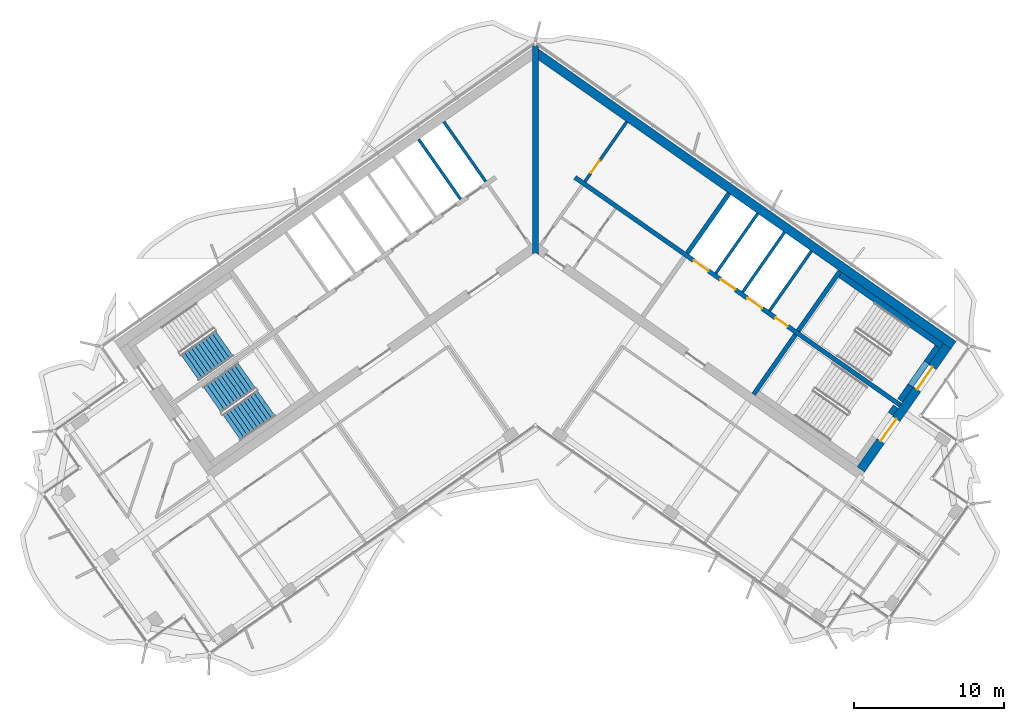
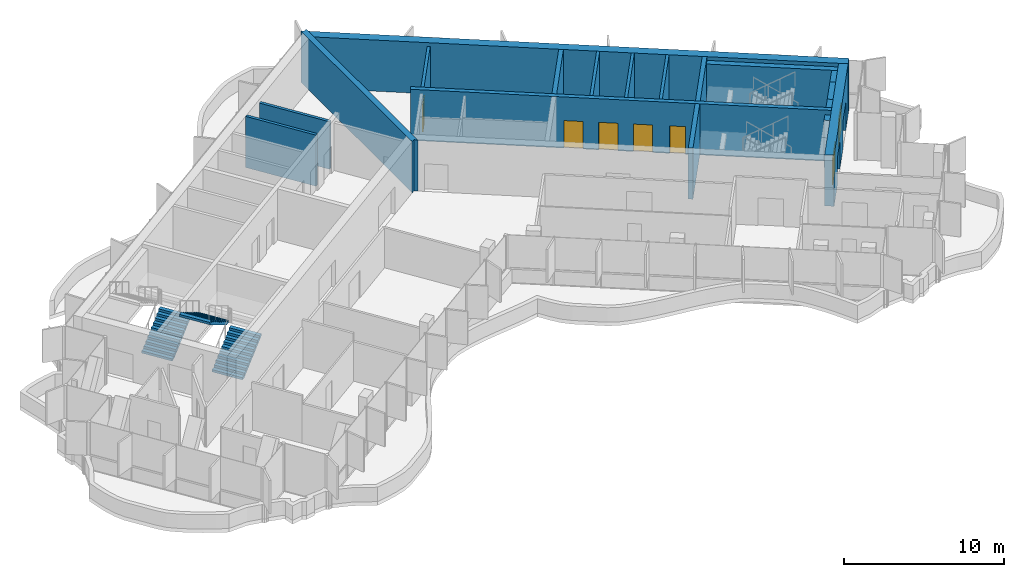
# One storey, part 11 of 17: 18 walls, 7 doors, 3 stair flights, 7 openings, 2 elements without a shape of their own.
"""IFC4 building model written with IfcOpenShell, lengths in metres."""

from ifc_helpers import new_model, si_unit, direction, frame, frame_2d, origin, place, context, subcontext, project, spatial, polyline, rectangle, outline, extrude, material, layer, layer_set, type_object, element, fill, aggregate, save


model = new_model("IFC4")

# Units and contexts
model_context = context("Model", 3, precision=1e-05, world=origin(), true_north=direction((0.0, 1.0)))
body_context = subcontext(model_context, "Body", "Model", "MODEL_VIEW")
ifc_project = project(units=[si_unit("LENGTHUNIT", "METRE"), si_unit("AREAUNIT", "SQUARE_METRE"), si_unit("VOLUMEUNIT", "CUBIC_METRE"), si_unit("PLANEANGLEUNIT", "RADIAN"), si_unit("MASSUNIT", "GRAM", prefix="KILO")], contexts=[model_context])

# Site, building, storey
site_placement = place(None, origin())
site = spatial("IfcSite", under=ifc_project, at=site_placement, CompositionType="ELEMENT")
building_placement = place(site_placement, origin())
building = spatial("IfcBuilding", under=site, at=building_placement, Name="Tel Ilan Convention Tower", CompositionType="ELEMENT")
storey_placement = place(building_placement, frame((0.0, 0.0, 291.699951171875)))
storey = spatial("IfcBuildingStorey", under=building, at=storey_placement, Name="L69", CompositionType="ELEMENT", Elevation=291.699951171875)

# Wall
ifc_material_1 = material(Name="Concrete C30/37", Category="concrete")
ifc_layer_1 = layer(ifc_material_1, 0.199951171875)
ifc_layer_set_1 = layer_set([ifc_layer_1], Name="Core Service Room Wall 200 mm C30/37")
wall_type_1 = type_object("IfcWallType", Name="Core Service Room Wall 200 mm C30/37", PredefinedType="SOLIDWALL", material=ifc_layer_set_1)
wall_1_placement = place(storey_placement, frame((-3.2978515625, 3.489501953125, 0.0), z_axis=(0.0, 0.0, 1.0), x_axis=(-0.573560315113, 0.819163332265, 0.0)))
element("IfcWall", 1, at=wall_1_placement, inside=storey, type_object=wall_type_1, Name="L69 core wall apex-W-b", PredefinedType="SOLIDWALL", context=body_context, shape_type="SweptSolid", body=[
    extrude(rectangle(XDim=4.849853515625, YDim=0.199951171875, at=frame_2d((2.4248046875, 0.0))), origin(), (0.0, 0.0, 1.0), 3.6201171875),
])

# Wall, opening, door
wall_2_placement = place(storey_placement, frame((3.2978515625, 3.489501953125, 0.0), z_axis=(0.0, 0.0, 1.0), x_axis=(0.573560315113, 0.819163332265, 0.0)))
wall_2 = element("IfcWall", 2, at=wall_2_placement, inside=storey, type_object=wall_type_1, Name="L69 core wall apex-E-b", PredefinedType="SOLIDWALL", context=body_context, shape_type="SweptSolid", body=[
    extrude(rectangle(XDim=4.849853515625, YDim=0.199951171875, at=frame_2d((2.4248046875, 0.0))), origin(), (0.0, 0.0, 1.0), 3.6201171875),
])
opening_1_placement = place(wall_2_placement, frame((0.699951171875, 0.0, 0.0)))
opening_1 = element("IfcOpeningElement", 3, at=opening_1_placement, cuts=wall_2, Name="Opening CD5203", PredefinedType="OPENING", context=body_context, shape_type="SweptSolid", body=[
    extrude(rectangle(XDim=1.0, YDim=2.10009765625, at=frame_2d((0.5, 1.050048828125))), frame((0.0, 0.10986328125, 0.0), z_axis=(0.0, -1.0, 0.0), x_axis=(1.0, 0.0, 0.0)), (0.0, 0.0, 1.0), 0.219970703125),
])
ifc_material_2 = material(Name="Galvanised Steel Door Leaf", Category="steel")
door_type_1 = type_object("IfcDoorType", Name="Service Room Door 1000 x 2100 FD60", OperationType="NOTDEFINED", PredefinedType="DOOR", material=ifc_material_2)
door_1_placement = place(opening_1_placement, origin())
door_1 = element("IfcDoor", 4, at=door_1_placement, inside=storey, type_object=door_type_1, Name="Plant Room door", OperationType="SINGLE_SWING_RIGHT", OverallHeight=2.10009765625, OverallWidth=1.0, PredefinedType="DOOR", context=body_context, shape_type="SweptSolid", body=[
    extrude(rectangle(XDim=1.0, YDim=2.10009765625, at=frame_2d((0.5, 1.050048828125))), frame((0.0, 0.02490234375, 0.0), z_axis=(0.0, -1.0, 0.0), x_axis=(1.0, 0.0, 0.0)), (0.0, 0.0, 1.0), 0.050048828125),
])
fill(opening_1, door_1)

# Walls
ifc_material_3 = material(Name="Concrete C40/50", Category="concrete")
ifc_layer_2 = layer(ifc_material_3, 0.300048828125)
ifc_layer_set_2 = layer_set([ifc_layer_2], Name="Core Shear Wall 300 mm C40/50")
wall_type_2 = type_object("IfcWallType", Name="Core Shear Wall 300 mm C40/50", PredefinedType="SHEAR", material=ifc_layer_set_2)
wall_3_placement = place(storey_placement, frame((10.096923828125, -1.271240234375, 0.0), z_axis=(0.0, 0.0, 1.0), x_axis=(0.573560315113, 0.819163332265, 0.0)))
element("IfcWall", 5, at=wall_3_placement, inside=storey, type_object=wall_type_2, Name="L69 core wall E-cross1-2", PredefinedType="SHEAR", context=body_context, shape_type="SweptSolid", body=[
    extrude(outline(polyline([(4.849853515625, -0.150146484375), (4.849853515625, 0.14990234375), (0.0, 0.150146484375), (0.0, -0.14990234375), (4.849853515625, -0.150146484375)])), origin(), (0.0, 0.0, 1.0), 3.900146484375),
])
wall_4_placement = place(storey_placement, frame((14.515380859375, -10.652099609375, 0.0), z_axis=(0.0, 0.0, 1.0), x_axis=(0.573560315113, 0.819163332265, 0.0)))
element("IfcWall", 6, at=wall_4_placement, inside=storey, type_object=wall_type_2, Name="L69 core wall E-cross2-1", PredefinedType="SHEAR", context=body_context, shape_type="SweptSolid", body=[
    extrude(outline(polyline([(0.0, 0.150146484375), (0.0, -0.14990234375), (4.85009765625, -0.14990234375), (4.85009765625, 0.14990234375), (0.0, 0.150146484375)])), origin(), (0.0, 0.0, 1.0), 3.900146484375),
])
wall_5_placement = place(storey_placement, frame((17.46923828125, -6.433349609375, 0.0), z_axis=(0.0, 0.0, 1.0), x_axis=(0.573594092424, 0.81913968109, 0.0)))
element("IfcWall", 7, at=wall_5_placement, inside=storey, type_object=wall_type_2, Name="L69 core wall E-cross2-2", PredefinedType="SHEAR", context=body_context, shape_type="SweptSolid", body=[
    extrude(outline(polyline([(4.849853515625, -0.14990234375), (4.849853515625, 0.150146484375), (0.0, 0.14990234375), (0.0, -0.14990234375), (4.849853515625, -0.14990234375)])), origin(), (0.0, 0.0, 1.0), 3.900146484375),
])

# Wall, openings, doors
wall_6_placement = place(storey_placement, frame((2.638427734375, 3.76806640625, 0.0), z_axis=(0.0, 0.0, 1.0), x_axis=(0.819155014212, -0.573572194837, 0.0)))
wall_6 = element("IfcWall", 8, at=wall_6_placement, inside=storey, type_object=wall_type_2, Name="L69 core wall E-spine", PredefinedType="SHEAR", context=body_context, shape_type="SweptSolid", body=[
    extrude(outline(polyline([(0.0, 0.150146484375), (0.0, -0.14990234375), (26.39990234375, -0.150146484375), (26.39990234375, 0.14990234375), (0.0, 0.150146484375)])), origin(), (0.0, 0.0, 1.0), 3.900146484375),
])
opening_2_placement = place(wall_6_placement, frame((9.637451171875, 0.0, 0.0)))
opening_2 = element("IfcOpeningElement", 9, at=opening_2_placement, cuts=wall_6, Name="Opening LD5201", PredefinedType="OPENING", context=body_context, shape_type="SweptSolid", body=[
    extrude(rectangle(XDim=1.199951171875, YDim=2.10009765625, at=frame_2d((0.60009765625, 1.050048828125))), frame((0.0, 0.159912109375, 0.0), z_axis=(0.0, -1.0, 0.0), x_axis=(1.0, 0.0, 0.0)), (0.0, 0.0, 1.0), 0.320068359375),
])
opening_3_placement = place(wall_6_placement, frame((11.8125, 0.0, 0.0)))
opening_3 = element("IfcOpeningElement", 10, at=opening_3_placement, cuts=wall_6, Name="Opening LD5202", PredefinedType="OPENING", context=body_context, shape_type="SweptSolid", body=[
    extrude(rectangle(XDim=1.199951171875, YDim=2.10009765625, at=frame_2d((0.60009765625, 1.050048828125))), frame((0.0, 0.159912109375, 0.0), z_axis=(0.0, -1.0, 0.0), x_axis=(1.0, 0.0, 0.0)), (0.0, 0.0, 1.0), 0.320068359375),
])
opening_4_placement = place(wall_6_placement, frame((13.987548828125, 0.0, 0.0)))
opening_4 = element("IfcOpeningElement", 11, at=opening_4_placement, cuts=wall_6, Name="Opening LD5203", PredefinedType="OPENING", context=body_context, shape_type="SweptSolid", body=[
    extrude(rectangle(XDim=1.199951171875, YDim=2.10009765625, at=frame_2d((0.60009765625, 1.050048828125))), frame((0.0, 0.159912109375, 0.0), z_axis=(0.0, -1.0, 0.0), x_axis=(1.0, 0.0, 0.0)), (0.0, 0.0, 1.0), 0.320068359375),
])
opening_5_placement = place(wall_6_placement, frame((16.262451171875, 0.0, 0.0)))
opening_5 = element("IfcOpeningElement", 12, at=opening_5_placement, cuts=wall_6, Name="Opening CD5208", PredefinedType="OPENING", context=body_context, shape_type="SweptSolid", body=[
    extrude(rectangle(XDim=1.0, YDim=2.10009765625, at=frame_2d((0.5, 1.050048828125))), frame((0.0, 0.159912109375, 0.0), z_axis=(0.0, -1.0, 0.0), x_axis=(1.0, 0.0, 0.0)), (0.0, 0.0, 1.0), 0.320068359375),
])
ifc_material_4 = material(Name="Stainless Steel Sliding Door Leaf", Category="steel")
door_type_2 = type_object("IfcDoorType", Name="Lift Landing Door 1200 x 2100 FD120", OperationType="NOTDEFINED", PredefinedType="DOOR", material=ifc_material_4)
door_2_placement = place(opening_2_placement, origin())
door_2 = element("IfcDoor", 13, at=door_2_placement, inside=storey, type_object=door_type_2, Name="Lift FL1 landing door", OperationType="SLIDING_TO_LEFT", OverallHeight=2.10009765625, OverallWidth=1.199951171875, PredefinedType="DOOR", context=body_context, shape_type="SweptSolid", body=[
    extrude(rectangle(XDim=1.199951171875, YDim=2.10009765625, at=frame_2d((0.60009765625, 1.050048828125))), frame((0.0, 0.02490234375, 0.0), z_axis=(0.0, -1.0, 0.0), x_axis=(1.0, 0.0, 0.0)), (0.0, 0.0, 1.0), 0.050048828125),
])
fill(opening_2, door_2)
door_3_placement = place(opening_3_placement, origin())
door_3 = element("IfcDoor", 14, at=door_3_placement, inside=storey, type_object=door_type_2, Name="Lift FL2 landing door", OperationType="SLIDING_TO_RIGHT", OverallHeight=2.10009765625, OverallWidth=1.199951171875, PredefinedType="DOOR", context=body_context, shape_type="SweptSolid", body=[
    extrude(rectangle(XDim=1.199951171875, YDim=2.10009765625, at=frame_2d((0.60009765625, 1.050048828125))), frame((0.0, 0.02490234375, 0.0), z_axis=(0.0, -1.0, 0.0), x_axis=(1.0, 0.0, 0.0)), (0.0, 0.0, 1.0), 0.050048828125),
])
fill(opening_3, door_3)
door_4_placement = place(opening_4_placement, origin())
door_4 = element("IfcDoor", 15, at=door_4_placement, inside=storey, type_object=door_type_2, Name="Lift FL3 landing door", OperationType="SLIDING_TO_LEFT", OverallHeight=2.10009765625, OverallWidth=1.199951171875, PredefinedType="DOOR", context=body_context, shape_type="SweptSolid", body=[
    extrude(rectangle(XDim=1.199951171875, YDim=2.10009765625, at=frame_2d((0.60009765625, 1.050048828125))), frame((0.0, 0.02490234375, 0.0), z_axis=(0.0, -1.0, 0.0), x_axis=(1.0, 0.0, 0.0)), (0.0, 0.0, 1.0), 0.050048828125),
])
fill(opening_4, door_4)
door_5_placement = place(opening_5_placement, origin())
door_5 = element("IfcDoor", 16, at=door_5_placement, inside=storey, type_object=door_type_1, Name="Plant Room door", OperationType="SINGLE_SWING_RIGHT", OverallHeight=2.10009765625, OverallWidth=1.0, PredefinedType="DOOR", context=body_context, shape_type="SweptSolid", body=[
    extrude(rectangle(XDim=1.0, YDim=2.10009765625, at=frame_2d((0.5, 1.050048828125))), frame((0.0, 0.02490234375, 0.0), z_axis=(0.0, -1.0, 0.0), x_axis=(1.0, 0.0, 0.0)), (0.0, 0.0, 1.0), 0.050048828125),
])
fill(opening_5, door_5)

# Walls
ifc_material_5 = material(Name="Concrete C40/50", Category="concrete")
ifc_layer_3 = layer(ifc_material_5, 0.39990234375)
ifc_layer_set_3 = layer_set([ifc_layer_3], Name="Core Shear Wall 400 mm C40/50")
wall_type_3 = type_object("IfcWallType", Name="Core Shear Wall 400 mm C40/50", PredefinedType="SHEAR", material=ifc_layer_set_3)
wall_7_placement = place(storey_placement, frame((0.0, -1.36083984375, 0.0), z_axis=(0.0, 0.0, 1.0), x_axis=(0.0, 1.0, 0.0)))
element("IfcWall", 17, at=wall_7_placement, inside=storey, type_object=wall_type_3, Name="L69 core wall K-central", PredefinedType="SHEAR", context=body_context, shape_type="SweptSolid", body=[
    extrude(outline(polyline([(0.14013671875, 0.199951171875), (0.0, 0.199951171875), (0.14013671875, 0.0), (0.0, -0.199951171875), (0.14013671875, -0.199951171875), (1.012451171875, -0.199951171875), (12.940185546875, -0.199951171875), (13.812744140625, -0.199951171875), (13.893310546875, -0.199951171875), (13.933349609375, -0.172119140625), (13.812744140625, 0.0), (13.933349609375, 0.172119140625), (13.893310546875, 0.199951171875), (13.812744140625, 0.199951171875), (12.940185546875, 0.199951171875), (1.012451171875, 0.199951171875), (0.14013671875, 0.199951171875)])), origin(), (0.0, 0.0, 1.0), 3.900146484375),
])
ifc_material_6 = material(Name="Concrete C40/50", Category="concrete")
ifc_layer_4 = layer(ifc_material_6, 0.60009765625)
ifc_layer_set_4 = layer_set([ifc_layer_4], Name="Core Shear Wall 600 mm C40/50")
wall_type_4 = type_object("IfcWallType", Name="Core Shear Wall 600 mm C40/50", PredefinedType="SHEAR", material=ifc_layer_set_4)
wall_8_placement = place(storey_placement, frame((0.02783203125, 12.066162109375, 0.0), z_axis=(0.0, 0.0, 1.0), x_axis=(0.819151382952, -0.573577380837, 0.0)))
element("IfcWall", 18, at=wall_8_placement, inside=storey, type_object=wall_type_4, Name="L69 core wall E-back", PredefinedType="SHEAR", context=body_context, shape_type="SweptSolid", body=[
    extrude(outline(polyline([(33.898193359375, 0.300048828125), (0.0, 0.300048828125), (0.420166015625, -0.300048828125), (33.89794921875, -0.300048828125), (33.898193359375, 0.300048828125)])), origin(), (0.0, 0.0, 1.0), 3.900146484375),
])

# Wall, openings, doors
wall_9_placement = place(storey_placement, frame((21.641845703125, -15.64208984375, 0.0), z_axis=(0.0, 0.0, 1.0), x_axis=(0.573586866468, 0.819144740944, 0.0)))
wall_9 = element("IfcWall", 19, at=wall_9_placement, inside=storey, type_object=wall_type_4, Name="L69 core wall E-end", PredefinedType="SHEAR", context=body_context, shape_type="SweptSolid", body=[
    extrude(outline(polyline([(10.0, 0.300048828125), (0.0, 0.2998046875), (0.0, -0.300048828125), (10.0, -0.300048828125), (10.0, 0.300048828125)])), origin(), (0.0, 0.0, 1.0), 3.900146484375),
])
opening_6_placement = place(wall_9_placement, frame((6.5, 0.0, 0.0)))
opening_6 = element("IfcOpeningElement", 20, at=opening_6_placement, cuts=wall_9, Name="Opening SD5203", PredefinedType="OPENING", context=body_context, shape_type="SweptSolid", body=[
    extrude(rectangle(XDim=1.800048828125, YDim=2.10009765625, at=frame_2d((0.89990234375, 1.050048828125))), frame((0.0, 0.31005859375, 0.0), z_axis=(0.0, -1.0, 0.0), x_axis=(1.0, 0.0, 0.0)), (0.0, 0.0, 1.0), 0.6201171875),
])
opening_7_placement = place(wall_9_placement, frame((2.300048828125, 0.0, 0.0)))
opening_7 = element("IfcOpeningElement", 21, at=opening_7_placement, cuts=wall_9, Name="Opening SD5204", PredefinedType="OPENING", context=body_context, shape_type="SweptSolid", body=[
    extrude(rectangle(XDim=1.800048828125, YDim=2.10009765625, at=frame_2d((0.89990234375, 1.050048828125))), frame((0.0, 0.31005859375, 0.0), z_axis=(0.0, -1.0, 0.0), x_axis=(1.0, 0.0, 0.0)), (0.0, 0.0, 1.0), 0.6201171875),
])
ifc_material_7 = material(Name="Galvanised Steel Door Leaf", Category="steel")
door_type_3 = type_object("IfcDoorType", Name="Stair Fire Door 1800 x 2100 FD60S", OperationType="NOTDEFINED", PredefinedType="DOOR", material=ifc_material_7)
door_6_placement = place(opening_6_placement, origin())
door_6 = element("IfcDoor", 22, at=door_6_placement, inside=storey, type_object=door_type_3, Name="Stair S3 door", OperationType="DOUBLE_DOOR_SINGLE_SWING", OverallHeight=2.10009765625, OverallWidth=1.800048828125, PredefinedType="DOOR", context=body_context, shape_type="SweptSolid", body=[
    extrude(rectangle(XDim=1.800048828125, YDim=2.10009765625, at=frame_2d((0.89990234375, 1.050048828125))), frame((0.0, 0.02490234375, 0.0), z_axis=(0.0, -1.0, 0.0), x_axis=(1.0, 0.0, 0.0)), (0.0, 0.0, 1.0), 0.050048828125),
])
fill(opening_6, door_6)
door_7_placement = place(opening_7_placement, origin())
door_7 = element("IfcDoor", 23, at=door_7_placement, inside=storey, type_object=door_type_3, Name="Stair S4 door", OperationType="DOUBLE_DOOR_SINGLE_SWING", OverallHeight=2.10009765625, OverallWidth=1.800048828125, PredefinedType="DOOR", context=body_context, shape_type="SweptSolid", body=[
    extrude(rectangle(XDim=1.800048828125, YDim=2.10009765625, at=frame_2d((0.89990234375, 1.050048828125))), frame((0.0, 0.02490234375, 0.0), z_axis=(0.0, -1.0, 0.0), x_axis=(1.0, 0.0, 0.0)), (0.0, 0.0, 1.0), 0.050048828125),
])
fill(opening_7, door_7)

# Walls
ifc_material_8 = material(Name="Concrete C30/37", Category="concrete")
ifc_layer_5 = layer(ifc_material_8, 0.199951171875)
ifc_layer_set_5 = layer_set([ifc_layer_5], Name="Lift Shaft Wall 200 mm C30/37")
wall_type_5 = type_object("IfcWallType", Name="Lift Shaft Wall 200 mm C30/37", PredefinedType="SOLIDWALL", material=ifc_layer_set_5)
wall_10_placement = place(storey_placement, frame((-4.966796875, 2.32080078125, 0.0), z_axis=(0.0, 0.0, 1.0), x_axis=(-0.573594092424, 0.81913968109, 0.0)))
element("IfcWall", 24, at=wall_10_placement, inside=storey, type_object=wall_type_5, Name="L69 core wall bank-W1-p0", PredefinedType="SOLIDWALL", context=body_context, shape_type="SweptSolid", body=[
    extrude(rectangle(XDim=4.85009765625, YDim=0.199951171875, at=frame_2d((2.425048828125, 0.0))), origin(), (0.0, 0.0, 1.0), 3.900146484375),
])
wall_11_placement = place(storey_placement, frame((12.00146484375, -2.604736328125, 0.0), z_axis=(0.0, 0.0, 1.0), x_axis=(0.573560315113, 0.819163332265, 0.0)))
element("IfcWall", 25, at=wall_11_placement, inside=storey, type_object=wall_type_5, Name="L69 core wall bank-E2-p0", PredefinedType="SOLIDWALL", context=body_context, shape_type="SweptSolid", body=[
    extrude(rectangle(XDim=4.849853515625, YDim=0.199951171875, at=frame_2d((2.4248046875, 0.0))), origin(), (0.0, 0.0, 1.0), 3.900146484375),
])
wall_12_placement = place(storey_placement, frame((13.782958984375, -3.852294921875, 0.0), z_axis=(0.0, 0.0, 1.0), x_axis=(0.573594092424, 0.81913968109, 0.0)))
element("IfcWall", 26, at=wall_12_placement, inside=storey, type_object=wall_type_5, Name="L69 core wall bank-E2-p1", PredefinedType="SOLIDWALL", context=body_context, shape_type="SweptSolid", body=[
    extrude(rectangle(XDim=4.85009765625, YDim=0.199951171875, at=frame_2d((2.425048828125, 0.0))), origin(), (0.0, 0.0, 1.0), 3.900146484375),
])
wall_13_placement = place(storey_placement, frame((15.564697265625, -5.099853515625, 0.0), z_axis=(0.0, 0.0, 1.0), x_axis=(0.573560315113, 0.819163332265, 0.0)))
element("IfcWall", 27, at=wall_13_placement, inside=storey, type_object=wall_type_5, Name="L69 core wall bank-E2-p2", PredefinedType="SOLIDWALL", context=body_context, shape_type="SweptSolid", body=[
    extrude(rectangle(XDim=4.849853515625, YDim=0.199951171875, at=frame_2d((2.4248046875, 0.0))), origin(), (0.0, 0.0, 1.0), 3.900146484375),
])
ifc_material_9 = material(Name="Concrete C30/37", Category="concrete")
ifc_layer_6 = layer(ifc_material_9, 0.39990234375)
ifc_layer_set_6 = layer_set([ifc_layer_6], Name="Stair and Shaft Lining Wall 400 mm C30/37")
wall_type_6 = type_object("IfcWallType", Name="Stair and Shaft Lining Wall 400 mm C30/37", PredefinedType="SOLIDWALL", material=ifc_layer_set_6)
wall_14_placement = place(storey_placement, frame((20.25927734375, -2.71044921875, 0.0), z_axis=(0.0, 0.0, 1.0), x_axis=(0.81914849389, -0.573581506813, 0.0)))
element("IfcWall", 28, at=wall_14_placement, inside=storey, type_object=wall_type_6, Name="L69 core wall lining-S3-t1", PredefinedType="SOLIDWALL", context=body_context, shape_type="SweptSolid", body=[
    extrude(rectangle(XDim=8.249755859375, YDim=0.39990234375, at=frame_2d((4.125, 0.0))), origin(), (0.0, 0.0, 1.0), 3.6201171875),
])
wall_15_placement = place(storey_placement, frame((24.24365234375, -11.0546875, 0.0), z_axis=(0.0, 0.0, 1.0), x_axis=(0.573571582932, 0.819155442668, 0.0)))
element("IfcWall", 29, at=wall_15_placement, inside=storey, type_object=wall_type_6, Name="L69 core wall lining-S3-u1-0", PredefinedType="SOLIDWALL", context=body_context, shape_type="SweptSolid", body=[
    extrude(rectangle(XDim=1.199951171875, YDim=0.39990234375, at=frame_2d((0.60009765625, 0.0))), origin(), (0.0, 0.0, 1.0), 3.6201171875),
])
wall_16_placement = place(storey_placement, frame((26.021728515625, -8.515380859375, 0.0), z_axis=(0.0, 0.0, 1.0), x_axis=(0.573619628835, 0.819121798889, 0.0)))
element("IfcWall", 30, at=wall_16_placement, inside=storey, type_object=wall_type_6, Name="L69 core wall lining-S3-u1-1", PredefinedType="SOLIDWALL", context=body_context, shape_type="SweptSolid", body=[
    extrude(rectangle(XDim=1.25, YDim=0.39990234375, at=frame_2d((0.625, 0.0))), origin(), (0.0, 0.0, 1.0), 3.6201171875),
])
wall_17_placement = place(storey_placement, frame((24.931884765625, -10.07177734375, 2.150146484375), z_axis=(0.0, 0.0, 1.0), x_axis=(0.573591692345, 0.819141361715, 0.0)))
element("IfcWall", 31, at=wall_17_placement, inside=storey, type_object=wall_type_6, Name="L69 core wall lining-S3-u1-lintel", PredefinedType="SOLIDWALL", context=body_context, shape_type="SweptSolid", body=[
    extrude(rectangle(XDim=1.900146484375, YDim=0.39990234375, at=frame_2d((0.9501953125, 0.0))), origin(), (0.0, 0.0, 1.0), 1.469970703125),
])
wall_18_placement = place(storey_placement, frame((23.61279296875, -11.955810546875, 0.0), z_axis=(0.0, 0.0, 1.0), x_axis=(0.573435029941, 0.819251039936, 0.0)))
element("IfcWall", 32, at=wall_18_placement, inside=storey, type_object=wall_type_6, Name="L69 core wall lining-S4-u1-1", PredefinedType="SOLIDWALL", context=body_context, shape_type="SweptSolid", body=[
    extrude(rectangle(XDim=0.599853515625, YDim=0.39990234375, at=frame_2d((0.2998046875, 0.0))), origin(), (0.0, 0.0, 1.0), 3.6201171875),
])

# Stair, stair flight
ifc_material_10 = material(Name="Concrete C40/50", Category="concrete")
stair_type = type_object("IfcStairType", Name="Pressurised Exit Stair 22 risers 177 mm", PredefinedType="HALF_TURN_STAIR", material=ifc_material_10)
stair_1_placement = place(storey_placement, origin())
stair_1 = element("IfcStair", 33, at=stair_1_placement, inside=storey, type_object=stair_type, Name="L69 Pressurised Stair S1", PredefinedType="HALF_TURN_STAIR")
ifc_material_11 = material(Name="Precast Concrete C40/50", Category="concrete")
stair_flight_type = type_object("IfcStairFlightType", Name="Concrete Stair Flight 2100 mm 22 risers 177 mm", PredefinedType="STRAIGHT", material=ifc_material_11)
stair_flight_1_placement = place(storey_placement, frame((-22.9619140625, -8.87548828125, 0.0), z_axis=(0.0, 0.0, 1.0), x_axis=(0.819152044289, 0.573576436351, 0.0)))
stair_flight_1 = element("IfcStairFlight", 34, at=stair_flight_1_placement, type_object=stair_flight_type, Name="S1 flight 1", NumberOfRisers=11, NumberOfTreads=10, PredefinedType="STRAIGHT", RiserHeight=0.177272727, TreadLength=0.28, context=body_context, shape_type="SweptSolid", body=[
    extrude(outline(polyline([(0.0, 0.0), (0.0, 0.17724609375), (0.280029296875, 0.17724609375), (0.280029296875, 0.3544921875), (0.56005859375, 0.3544921875), (0.56005859375, 0.53173828125), (0.840087890625, 0.53173828125), (0.840087890625, 0.708984375), (1.1201171875, 0.708984375), (1.1201171875, 0.886474609375), (1.39990234375, 0.886474609375), (1.39990234375, 1.063720703125), (1.679931640625, 1.063720703125), (1.679931640625, 1.240966796875), (1.9599609375, 1.240966796875), (1.9599609375, 1.418212890625), (2.239990234375, 1.418212890625), (2.239990234375, 1.595458984375), (2.52001953125, 1.595458984375), (2.52001953125, 1.772705078125), (2.800048828125, 1.772705078125), (2.800048828125, 1.949951171875), (2.800048828125, 1.59521484375), (0.2802734375, 0.0), (0.0, 0.0)])), frame((0.0, -0.100341796875, 0.0), z_axis=(0.0, -1.0, 0.0), x_axis=(1.0, 0.0, 0.0)), (0.0, 0.0, 1.0), 0.94970703125),
    extrude(outline(polyline([(0.0, 0.0), (0.0, 0.17724609375), (0.280029296875, 0.17724609375), (0.280029296875, 0.3544921875), (0.56005859375, 0.3544921875), (0.56005859375, 0.53173828125), (0.840087890625, 0.53173828125), (0.840087890625, 0.708984375), (1.1201171875, 0.708984375), (1.1201171875, 0.886474609375), (1.39990234375, 0.886474609375), (1.39990234375, 1.063720703125), (1.679931640625, 1.063720703125), (1.679931640625, 1.240966796875), (1.9599609375, 1.240966796875), (1.9599609375, 1.418212890625), (2.239990234375, 1.418212890625), (2.239990234375, 1.595458984375), (2.52001953125, 1.595458984375), (2.52001953125, 1.772705078125), (2.800048828125, 1.772705078125), (2.800048828125, 1.949951171875), (2.800048828125, 1.59521484375), (0.2802734375, 0.0), (0.0, 0.0)])), frame((0.0, -0.000244140625, 0.0), z_axis=(0.0, -1.0, 0.0), x_axis=(1.0, 0.0, 0.0)), (0.0, 0.0, 1.0), 0.099609375),
    extrude(outline(polyline([(0.0, 0.0), (0.0, 0.17724609375), (0.280029296875, 0.17724609375), (0.280029296875, 0.3544921875), (0.56005859375, 0.3544921875), (0.56005859375, 0.53173828125), (0.840087890625, 0.53173828125), (0.840087890625, 0.708984375), (1.1201171875, 0.708984375), (1.1201171875, 0.886474609375), (1.39990234375, 0.886474609375), (1.39990234375, 1.063720703125), (1.679931640625, 1.063720703125), (1.679931640625, 1.240966796875), (1.9599609375, 1.240966796875), (1.9599609375, 1.418212890625), (2.239990234375, 1.418212890625), (2.239990234375, 1.595458984375), (2.52001953125, 1.595458984375), (2.52001953125, 1.772705078125), (2.800048828125, 1.772705078125), (2.800048828125, 1.949951171875), (2.800048828125, 1.59521484375), (0.2802734375, 0.0), (0.0, 0.0)])), frame((0.0, 0.099853515625, 0.0), z_axis=(0.0, -1.0, 0.0), x_axis=(1.0, 0.0, 0.0)), (0.0, 0.0, 1.0), 0.099609375),
    extrude(outline(polyline([(0.0, 0.0), (0.0, 0.17724609375), (0.280029296875, 0.17724609375), (0.280029296875, 0.3544921875), (0.56005859375, 0.3544921875), (0.56005859375, 0.53173828125), (0.840087890625, 0.53173828125), (0.840087890625, 0.708984375), (1.1201171875, 0.708984375), (1.1201171875, 0.886474609375), (1.39990234375, 0.886474609375), (1.39990234375, 1.063720703125), (1.679931640625, 1.063720703125), (1.679931640625, 1.240966796875), (1.9599609375, 1.240966796875), (1.9599609375, 1.418212890625), (2.239990234375, 1.418212890625), (2.239990234375, 1.595458984375), (2.52001953125, 1.595458984375), (2.52001953125, 1.772705078125), (2.800048828125, 1.772705078125), (2.800048828125, 1.949951171875), (2.800048828125, 1.59521484375), (0.2802734375, 0.0), (0.0, 0.0)])), frame((0.0, 1.050048828125, 0.0), z_axis=(0.0, -1.0, 0.0), x_axis=(1.0, 0.0, 0.0)), (0.0, 0.0, 1.0), 0.94970703125),
])
aggregate(stair_1, [stair_flight_1])

# Stair, stair flights
stair_2_placement = place(storey_placement, origin())
stair_2 = element("IfcStair", 35, at=stair_2_placement, inside=storey, type_object=stair_type, Name="L69 Pressurised Stair S2", PredefinedType="HALF_TURN_STAIR")
stair_flight_2_placement = place(storey_placement, frame((-20.179931640625, -12.848388671875, 0.0), z_axis=(0.0, 0.0, 1.0), x_axis=(0.819152044289, 0.573576436351, 0.0)))
stair_flight_2 = element("IfcStairFlight", 36, at=stair_flight_2_placement, type_object=stair_flight_type, Name="S2 flight 1", NumberOfRisers=11, NumberOfTreads=10, PredefinedType="STRAIGHT", RiserHeight=0.177272727, TreadLength=0.28, context=body_context, shape_type="SweptSolid", body=[
    extrude(outline(polyline([(0.0, 0.0), (0.0, 0.17724609375), (0.280029296875, 0.17724609375), (0.280029296875, 0.3544921875), (0.56005859375, 0.3544921875), (0.56005859375, 0.53173828125), (0.840087890625, 0.53173828125), (0.840087890625, 0.708984375), (1.1201171875, 0.708984375), (1.1201171875, 0.886474609375), (1.39990234375, 0.886474609375), (1.39990234375, 1.063720703125), (1.679931640625, 1.063720703125), (1.679931640625, 1.240966796875), (1.9599609375, 1.240966796875), (1.9599609375, 1.418212890625), (2.239990234375, 1.418212890625), (2.239990234375, 1.595458984375), (2.52001953125, 1.595458984375), (2.52001953125, 1.772705078125), (2.800048828125, 1.772705078125), (2.800048828125, 1.949951171875), (2.800048828125, 1.59521484375), (0.2802734375, 0.0), (0.0, 0.0)])), frame((0.0, -0.100341796875, 0.0), z_axis=(0.0, -1.0, 0.0), x_axis=(1.0, 0.0, 0.0)), (0.0, 0.0, 1.0), 0.94970703125),
    extrude(outline(polyline([(0.0, 0.0), (0.0, 0.17724609375), (0.280029296875, 0.17724609375), (0.280029296875, 0.3544921875), (0.56005859375, 0.3544921875), (0.56005859375, 0.53173828125), (0.840087890625, 0.53173828125), (0.840087890625, 0.708984375), (1.1201171875, 0.708984375), (1.1201171875, 0.886474609375), (1.39990234375, 0.886474609375), (1.39990234375, 1.063720703125), (1.679931640625, 1.063720703125), (1.679931640625, 1.240966796875), (1.9599609375, 1.240966796875), (1.9599609375, 1.418212890625), (2.239990234375, 1.418212890625), (2.239990234375, 1.595458984375), (2.52001953125, 1.595458984375), (2.52001953125, 1.772705078125), (2.800048828125, 1.772705078125), (2.800048828125, 1.949951171875), (2.800048828125, 1.59521484375), (0.2802734375, 0.0), (0.0, 0.0)])), frame((0.0, -0.000244140625, 0.0), z_axis=(0.0, -1.0, 0.0), x_axis=(1.0, 0.0, 0.0)), (0.0, 0.0, 1.0), 0.099609375),
    extrude(outline(polyline([(0.0, 0.0), (0.0, 0.17724609375), (0.280029296875, 0.17724609375), (0.280029296875, 0.3544921875), (0.56005859375, 0.3544921875), (0.56005859375, 0.53173828125), (0.840087890625, 0.53173828125), (0.840087890625, 0.708984375), (1.1201171875, 0.708984375), (1.1201171875, 0.886474609375), (1.39990234375, 0.886474609375), (1.39990234375, 1.063720703125), (1.679931640625, 1.063720703125), (1.679931640625, 1.240966796875), (1.9599609375, 1.240966796875), (1.9599609375, 1.418212890625), (2.239990234375, 1.418212890625), (2.239990234375, 1.595458984375), (2.52001953125, 1.595458984375), (2.52001953125, 1.772705078125), (2.800048828125, 1.772705078125), (2.800048828125, 1.949951171875), (2.800048828125, 1.59521484375), (0.2802734375, 0.0), (0.0, 0.0)])), frame((0.0, 0.099853515625, 0.0), z_axis=(0.0, -1.0, 0.0), x_axis=(1.0, 0.0, 0.0)), (0.0, 0.0, 1.0), 0.099609375),
    extrude(outline(polyline([(0.0, 0.0), (0.0, 0.17724609375), (0.280029296875, 0.17724609375), (0.280029296875, 0.3544921875), (0.56005859375, 0.3544921875), (0.56005859375, 0.53173828125), (0.840087890625, 0.53173828125), (0.840087890625, 0.708984375), (1.1201171875, 0.708984375), (1.1201171875, 0.886474609375), (1.39990234375, 0.886474609375), (1.39990234375, 1.063720703125), (1.679931640625, 1.063720703125), (1.679931640625, 1.240966796875), (1.9599609375, 1.240966796875), (1.9599609375, 1.418212890625), (2.239990234375, 1.418212890625), (2.239990234375, 1.595458984375), (2.52001953125, 1.595458984375), (2.52001953125, 1.772705078125), (2.800048828125, 1.772705078125), (2.800048828125, 1.949951171875), (2.800048828125, 1.59521484375), (0.2802734375, 0.0), (0.0, 0.0)])), frame((0.0, 1.050048828125, 0.0), z_axis=(0.0, -1.0, 0.0), x_axis=(1.0, 0.0, 0.0)), (0.0, 0.0, 1.0), 0.94970703125),
])
stair_flight_3_placement = place(storey_placement, frame((-19.177001953125, -9.399169921875, 1.949951171875), z_axis=(0.0, 0.0, 1.0), x_axis=(-0.819152044289, -0.573576436351, 0.0)))
stair_flight_3 = element("IfcStairFlight", 37, at=stair_flight_3_placement, type_object=stair_flight_type, Name="S2 flight 2", NumberOfRisers=11, NumberOfTreads=10, PredefinedType="STRAIGHT", RiserHeight=0.177272727, TreadLength=0.28, context=body_context, shape_type="SweptSolid", body=[
    extrude(outline(polyline([(0.0, 0.0), (0.0, 0.17724609375), (0.280029296875, 0.17724609375), (0.280029296875, 0.3544921875), (0.56005859375, 0.3544921875), (0.56005859375, 0.53173828125), (0.840087890625, 0.53173828125), (0.840087890625, 0.708984375), (1.1201171875, 0.708984375), (1.1201171875, 0.886474609375), (1.39990234375, 0.886474609375), (1.39990234375, 1.063720703125), (1.679931640625, 1.063720703125), (1.679931640625, 1.240966796875), (1.9599609375, 1.240966796875), (1.9599609375, 1.418212890625), (2.239990234375, 1.418212890625), (2.239990234375, 1.595458984375), (2.52001953125, 1.595458984375), (2.52001953125, 1.772705078125), (2.800048828125, 1.772705078125), (2.800048828125, 1.949951171875), (2.800048828125, 1.59521484375), (0.2802734375, 0.0), (0.0, 0.0)])), frame((0.0, -0.100341796875, 0.0), z_axis=(0.0, -1.0, 0.0), x_axis=(1.0, 0.0, 0.0)), (0.0, 0.0, 1.0), 0.94970703125),
    extrude(outline(polyline([(0.0, 0.0), (0.0, 0.17724609375), (0.280029296875, 0.17724609375), (0.280029296875, 0.3544921875), (0.56005859375, 0.3544921875), (0.56005859375, 0.53173828125), (0.840087890625, 0.53173828125), (0.840087890625, 0.708984375), (1.1201171875, 0.708984375), (1.1201171875, 0.886474609375), (1.39990234375, 0.886474609375), (1.39990234375, 1.063720703125), (1.679931640625, 1.063720703125), (1.679931640625, 1.240966796875), (1.9599609375, 1.240966796875), (1.9599609375, 1.418212890625), (2.239990234375, 1.418212890625), (2.239990234375, 1.595458984375), (2.52001953125, 1.595458984375), (2.52001953125, 1.772705078125), (2.800048828125, 1.772705078125), (2.800048828125, 1.949951171875), (2.800048828125, 1.59521484375), (0.2802734375, 0.0), (0.0, 0.0)])), frame((0.0, -0.000244140625, 0.0), z_axis=(0.0, -1.0, 0.0), x_axis=(1.0, 0.0, 0.0)), (0.0, 0.0, 1.0), 0.099609375),
    extrude(outline(polyline([(0.0, 0.0), (0.0, 0.17724609375), (0.280029296875, 0.17724609375), (0.280029296875, 0.3544921875), (0.56005859375, 0.3544921875), (0.56005859375, 0.53173828125), (0.840087890625, 0.53173828125), (0.840087890625, 0.708984375), (1.1201171875, 0.708984375), (1.1201171875, 0.886474609375), (1.39990234375, 0.886474609375), (1.39990234375, 1.063720703125), (1.679931640625, 1.063720703125), (1.679931640625, 1.240966796875), (1.9599609375, 1.240966796875), (1.9599609375, 1.418212890625), (2.239990234375, 1.418212890625), (2.239990234375, 1.595458984375), (2.52001953125, 1.595458984375), (2.52001953125, 1.772705078125), (2.800048828125, 1.772705078125), (2.800048828125, 1.949951171875), (2.800048828125, 1.59521484375), (0.2802734375, 0.0), (0.0, 0.0)])), frame((0.0, 0.099853515625, 0.0), z_axis=(0.0, -1.0, 0.0), x_axis=(1.0, 0.0, 0.0)), (0.0, 0.0, 1.0), 0.099609375),
    extrude(outline(polyline([(0.0, 0.0), (0.0, 0.17724609375), (0.280029296875, 0.17724609375), (0.280029296875, 0.3544921875), (0.56005859375, 0.3544921875), (0.56005859375, 0.53173828125), (0.840087890625, 0.53173828125), (0.840087890625, 0.708984375), (1.1201171875, 0.708984375), (1.1201171875, 0.886474609375), (1.39990234375, 0.886474609375), (1.39990234375, 1.063720703125), (1.679931640625, 1.063720703125), (1.679931640625, 1.240966796875), (1.9599609375, 1.240966796875), (1.9599609375, 1.418212890625), (2.239990234375, 1.418212890625), (2.239990234375, 1.595458984375), (2.52001953125, 1.595458984375), (2.52001953125, 1.772705078125), (2.800048828125, 1.772705078125), (2.800048828125, 1.949951171875), (2.800048828125, 1.59521484375), (0.2802734375, 0.0), (0.0, 0.0)])), frame((0.0, 1.050048828125, 0.0), z_axis=(0.0, -1.0, 0.0), x_axis=(1.0, 0.0, 0.0)), (0.0, 0.0, 1.0), 0.94970703125),
])
aggregate(stair_2, [stair_flight_2, stair_flight_3])

save(model, "model.ifc")
